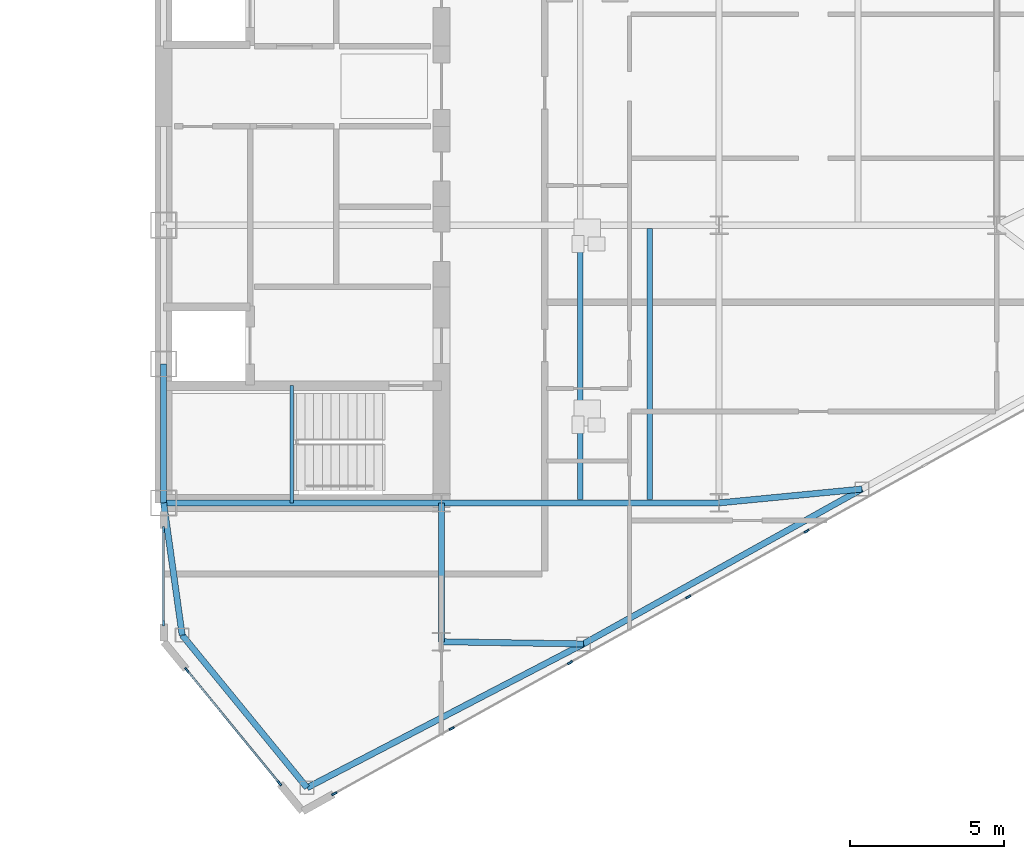
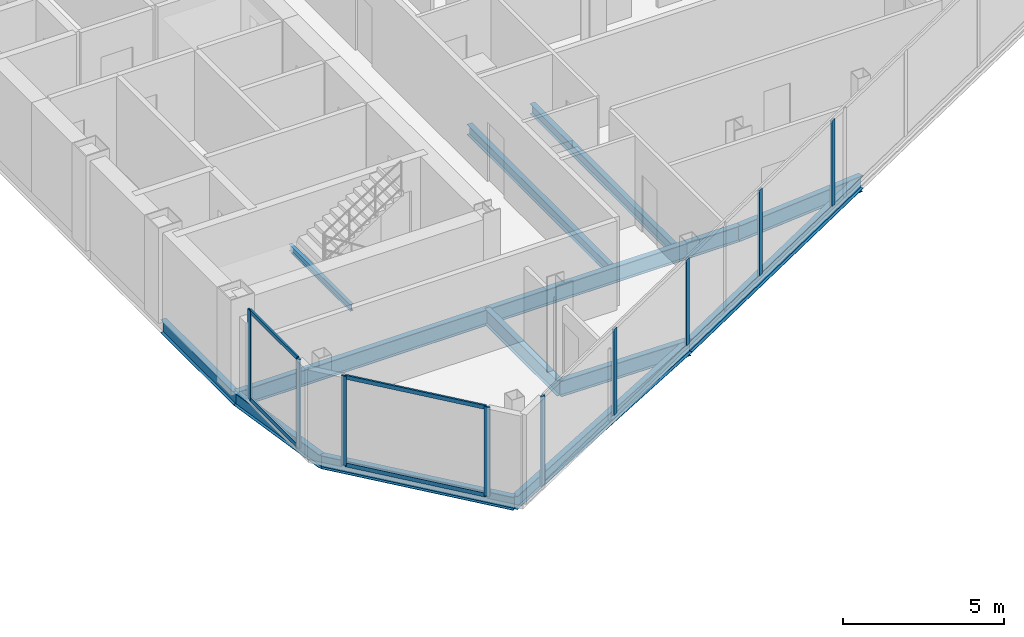
# One storey, part 11 of 26: 13 beams, 13 members, 3 elements without a shape of their own.
"""IFC4 building model written with IfcOpenShell, lengths in metres."""

from ifc_helpers import new_model, si_unit, direction, frame, origin, origin_2d, place, context, subcontext, project, spatial, rectangle, i_section, extrude, source, transform, mapped, material, layer, layer_set, material_profile, profile_set, type_object, type_shapes, element, aggregate, save


model = new_model("IFC4")

# Units and contexts
model_context = context("Model", 3, precision=1e-05, world=origin(), true_north=direction((0.0, 1.0)))
body_context = subcontext(model_context, "Body", "Model", "MODEL_VIEW")
ifc_project = project(units=[si_unit("LENGTHUNIT", "METRE"), si_unit("AREAUNIT", "SQUARE_METRE"), si_unit("VOLUMEUNIT", "CUBIC_METRE"), si_unit("PLANEANGLEUNIT", "RADIAN"), si_unit("MASSUNIT", "GRAM", prefix="KILO")], contexts=[model_context])

# Site, building, storey
site_placement = place(None, origin())
site = spatial("IfcSite", under=ifc_project, at=site_placement, CompositionType="ELEMENT")
building_placement = place(site_placement, origin())
building = spatial("IfcBuilding", under=site, at=building_placement, Name="Seokmaru Belvedere", CompositionType="ELEMENT")
storey_placement = place(building_placement, frame((0.0, 0.0, 167.10009765625)))
storey = spatial("IfcBuildingStorey", under=building, at=storey_placement, Name="L44", CompositionType="ELEMENT", Elevation=167.10009765625)

# Beams
ifc_material_1 = material(Name="Steel SM355 (355 MPa)", Category="steel")
ifc_material_profile_1 = material_profile(ifc_material_1, i_section(OverallWidth=0.199951171875, OverallDepth=0.5, WebThickness=0.010009765625, FlangeThickness=0.01611328125, at=origin_2d()), Name="H-500x200x10x16")
ifc_profile_set_1 = profile_set([ifc_material_profile_1], Name="Steel SM355 (355 MPa)")
beam_type_1 = type_object("IfcBeamType", Name="Perimeter Spandrel Beam H-500", PredefinedType="SPANDREL", material=ifc_profile_set_1)
shared_shape_1 = source(origin(), body_context, "Body", "SweptSolid", [
    extrude(i_section(OverallWidth=0.199951171875, OverallDepth=0.5, WebThickness=0.010009765625, FlangeThickness=0.01611328125, at=origin_2d()), origin(), (0.0, 0.0, 1.0), 4.5),
])
beam_1_placement = place(storey_placement, frame((27.5, -13.5, -0.47021484375), z_axis=(0.0, 1.0, 0.0), x_axis=(-1.0, 0.0, 0.0)))
element("IfcBeam", 1, at=beam_1_placement, inside=storey, type_object=beam_type_1, Name="L44 E Portal Spine Spandrel 1", PredefinedType="SPANDREL", context=body_context, shape_type="MappedRepresentation", body=[
    mapped(shared_shape_1, transform((0.0, 0.0, 0.0), scale=1.0)),
])
ifc_material_profile_2 = material_profile(ifc_material_1, i_section(OverallWidth=0.199951171875, OverallDepth=0.60009765625, WebThickness=0.010986328125, FlangeThickness=0.01708984375, at=origin_2d()), Name="H-600x200x11x17")
ifc_profile_set_2 = profile_set([ifc_material_profile_2], Name="Steel SM355 (355 MPa)")
beam_type_2 = type_object("IfcBeamType", Name="Primary Floor Girder H-600", PredefinedType="BEAM", material=ifc_profile_set_2)
shared_shape_2 = source(origin(), body_context, "Body", "SweptSolid", [
    extrude(i_section(OverallWidth=0.199951171875, OverallDepth=0.60009765625, WebThickness=0.010986328125, FlangeThickness=0.01708984375, at=origin_2d()), origin(), (0.0, 0.0, 1.0), 9.0),
])
for number, where, z_axis, x_axis, name in (
    (2, (27.5, -13.5, -0.52001953125), (1.0, 0.0, 0.0), (0.0, 1.0, 0.0), "L44 E Core Tie Girder 1"),
    (3, (36.5, -13.5, -0.52001953125), (1.0, 0.0, 0.0), (0.0, 1.0, 0.0), "L44 E Wing Primary Girder 1"),
):
    element("IfcBeam", number, at=place(storey_placement, frame(where, z_axis=z_axis, x_axis=x_axis)), inside=storey, type_object=beam_type_2, Name=name, PredefinedType="BEAM", context=body_context, shape_type="MappedRepresentation", body=[
        mapped(shared_shape_2, transform((0.0, 0.0, 0.0), scale=1.0)),
    ])
ifc_material_profile_3 = material_profile(ifc_material_1, i_section(OverallWidth=0.18505859375, OverallDepth=0.389892578125, WebThickness=0.008056640625, FlangeThickness=0.011962890625, at=origin_2d()), Name="H-390x185x8x12")
ifc_profile_set_3 = profile_set([ifc_material_profile_3], Name="Steel SM355 (355 MPa)")
beam_type_3 = type_object("IfcBeamType", Name="Secondary Floor Joist H-350", PredefinedType="JOIST", material=ifc_profile_set_3)
shared_shape_3 = source(origin(), body_context, "Body", "SweptSolid", [
    extrude(i_section(OverallWidth=0.18505859375, OverallDepth=0.389892578125, WebThickness=0.008056640625, FlangeThickness=0.011962890625, at=origin_2d()), origin(), (0.0, 0.0, 1.0), 8.7900390625),
])
type_shapes(beam_type_3, [shared_shape_3])
for number, where, z_axis, x_axis, name in (
    (4, (43.25, -13.39501953125, -0.4150390625), (0.0, 1.0, 0.0), (-1.0, 0.0, 0.0), "L44 E Wing Inner Secondary Joist 1"),
    (5, (41.0, -13.39501953125, -0.4150390625), (0.0, 1.0, 0.0), (-1.0, 0.0, 0.0), "L44 E Secondary Floor Joist 1"),
):
    element("IfcBeam", number, at=place(storey_placement, frame(where, z_axis=z_axis, x_axis=x_axis)), inside=storey, type_object=beam_type_3, Name=name, PredefinedType="JOIST", context=body_context, shape_type="MappedRepresentation", body=[
        mapped(shared_shape_3, transform((0.0, 0.0, 0.0), scale=1.0)),
    ])
shared_shape_4 = source(origin(), body_context, "Body", "SweptSolid", [
    extrude(i_section(OverallWidth=0.199951171875, OverallDepth=0.60009765625, WebThickness=0.010986328125, FlangeThickness=0.01708984375, at=origin_2d()), origin(), (0.0, 0.0, 1.0), 4.5),
])
beam_2_placement = place(storey_placement, frame((36.5, -18.0, -0.52001953125), z_axis=(0.0, 1.0, 0.0), x_axis=(-1.0, 0.0, 0.0)))
element("IfcBeam", 6, at=beam_2_placement, inside=storey, type_object=beam_type_2, Name="L44 E Core Shoulder Girder S", PredefinedType="BEAM", context=body_context, shape_type="MappedRepresentation", body=[
    mapped(shared_shape_4, transform((0.0, 0.0, 0.0), scale=1.0)),
])
shared_shape_5 = source(origin(), body_context, "Body", "SweptSolid", [
    extrude(i_section(OverallWidth=0.199951171875, OverallDepth=0.5, WebThickness=0.010009765625, FlangeThickness=0.01611328125, at=origin_2d()), origin(), (0.0, 0.0, 1.0), 10.09716796875),
])
beam_3_placement = place(storey_placement, frame((32.146728515625, -22.731689453125, -0.47021484375), z_axis=(0.887085728914, 0.461604711369, 0.0), x_axis=(-0.461604711369, 0.887085728914, 0.0)))
element("IfcBeam", 7, at=beam_3_placement, inside=storey, type_object=beam_type_1, Name="L44 E Faceted Flank Spandrel S-1", PredefinedType="SPANDREL", context=body_context, shape_type="MappedRepresentation", body=[
    mapped(shared_shape_5, transform((0.0, 0.0, 0.0), scale=1.0)),
])
shared_shape_6 = source(origin(), body_context, "Body", "SweptSolid", [
    extrude(i_section(OverallWidth=0.199951171875, OverallDepth=0.5, WebThickness=0.010009765625, FlangeThickness=0.01611328125, at=origin_2d()), origin(), (0.0, 0.0, 1.0), 10.327392578125),
])
beam_4_placement = place(storey_placement, frame((41.103759765625, -18.07080078125, -0.47021484375), z_axis=(0.873924120588, 0.486062374037, 0.0), x_axis=(-0.486062374037, 0.873924120588, 0.0)))
element("IfcBeam", 8, at=beam_4_placement, inside=storey, type_object=beam_type_1, Name="L44 E Faceted Flank Spandrel S-2", PredefinedType="SPANDREL", context=body_context, shape_type="MappedRepresentation", body=[
    mapped(shared_shape_6, transform((0.0, 0.0, 0.0), scale=1.0)),
])
shared_shape_7 = source(origin(), body_context, "Body", "SweptSolid", [
    extrude(i_section(OverallWidth=0.199951171875, OverallDepth=0.5, WebThickness=0.010009765625, FlangeThickness=0.01611328125, at=origin_2d()), origin(), (0.0, 0.0, 1.0), 6.390380859375),
])
beam_5_placement = place(storey_placement, frame((32.146728515625, -22.731689453125, -0.47021484375), z_axis=(-0.63324403161, 0.7739521926, 0.0), x_axis=(-0.7739521926, -0.63324403161, 0.0)))
element("IfcBeam", 9, at=beam_5_placement, inside=storey, type_object=beam_type_1, Name="L44 E Shoulder Chamfer Spandrel S", PredefinedType="SPANDREL", context=body_context, shape_type="MappedRepresentation", body=[
    mapped(shared_shape_7, transform((0.0, 0.0, 0.0), scale=1.0)),
])
shared_shape_8 = source(origin(), body_context, "Body", "SweptSolid", [
    extrude(i_section(OverallWidth=0.199951171875, OverallDepth=0.5, WebThickness=0.010009765625, FlangeThickness=0.01611328125, at=origin_2d()), origin(), (0.0, 0.0, 1.0), 4.32763671875),
])
type_shapes(beam_type_1, [shared_shape_1, shared_shape_5, shared_shape_6, shared_shape_7, shared_shape_8])
beam_6_placement = place(storey_placement, frame((28.10009765625, -17.785888671875, -0.47021484375), z_axis=(-0.138664443237, 0.990339422714, 0.0), x_axis=(-0.990339422714, -0.138664443237, 0.0)))
element("IfcBeam", 10, at=beam_6_placement, inside=storey, type_object=beam_type_1, Name="L44 E Shoulder Spine Spandrel S", PredefinedType="SPANDREL", context=body_context, shape_type="MappedRepresentation", body=[
    mapped(shared_shape_8, transform((0.0, 0.0, 0.0), scale=1.0)),
])
shared_shape_9 = source(origin(), body_context, "Body", "SweptSolid", [
    extrude(i_section(OverallWidth=0.199951171875, OverallDepth=0.60009765625, WebThickness=0.010986328125, FlangeThickness=0.01708984375, at=origin_2d()), origin(), (0.0, 0.0, 1.0), 4.604248046875),
])
beam_7_placement = place(storey_placement, frame((41.103759765625, -18.07080078125, -0.52001953125), z_axis=(-0.999881765622, 0.01537708607, 0.0), x_axis=(-0.01537708607, -0.999881765622, 0.0)))
element("IfcBeam", 11, at=beam_7_placement, inside=storey, type_object=beam_type_2, Name="L44 E Flank Radial Floor Girder S-1", PredefinedType="BEAM", context=body_context, shape_type="MappedRepresentation", body=[
    mapped(shared_shape_9, transform((0.0, 0.0, 0.0), scale=1.0)),
])
shared_shape_10 = source(origin(), body_context, "Body", "SweptSolid", [
    extrude(i_section(OverallWidth=0.199951171875, OverallDepth=0.60009765625, WebThickness=0.010986328125, FlangeThickness=0.01708984375, at=origin_2d()), origin(), (0.0, 0.0, 1.0), 4.65087890625),
])
type_shapes(beam_type_2, [shared_shape_2, shared_shape_4, shared_shape_9, shared_shape_10])
beam_8_placement = place(storey_placement, frame((50.129150390625, -13.051025390625, -0.52001953125), z_axis=(-0.995329534874, -0.09653557379, 0.0), x_axis=(0.09653557379, -0.995329534874, 0.0)))
element("IfcBeam", 12, at=beam_8_placement, inside=storey, type_object=beam_type_2, Name="L44 E Flank Radial Floor Girder S-2", PredefinedType="BEAM", context=body_context, shape_type="MappedRepresentation", body=[
    mapped(shared_shape_10, transform((0.0, 0.0, 0.0), scale=1.0)),
])

# Curtain wall, members
ifc_material_2 = material(Name="Bronze Triple Insulating Glass", Category="glass")
ifc_layer = layer(ifc_material_2, 0.179931640625)
ifc_layer_set = layer_set([ifc_layer], Name="Bronze Triple Insulating Glass")
curtain_wall_type = type_object("IfcCurtainWallType", Name="High-Rise Wind-Corner Curtain Wall System CW-5", PredefinedType="NOTDEFINED", material=ifc_layer_set)
curtain_wall_1_placement = place(storey_placement, origin())
curtain_wall_1 = element("IfcCurtainWall", 13, at=curtain_wall_1_placement, inside=storey, type_object=curtain_wall_type, Name="L44 Curtain Wall ESP_1", PredefinedType="NOTDEFINED")
ifc_material_3 = material(Name="Anodised Bronze Aluminium", Category="aluminium")
ifc_material_profile_4 = material_profile(ifc_material_3, rectangle(XDim=0.06494140625, YDim=0.14990234375, at=origin_2d()), Name="CW-T-65x150")
ifc_profile_set_4 = profile_set([ifc_material_profile_4], Name="Anodised Bronze Aluminium")
member_type_1 = type_object("IfcMemberType", Name="Bronze Unitised Transom 65x150", PredefinedType="USERDEFINED", material=ifc_profile_set_4)
shared_shape_11 = source(origin(), body_context, "Body", "SweptSolid", [
    extrude(rectangle(XDim=0.06494140625, YDim=0.14990234375, at=origin_2d()), origin(), (0.0, 0.0, 1.0), 2.969970703125),
])
member_1_placement = place(storey_placement, frame((27.5, -14.39501953125, 0.032470703125), z_axis=(0.0, -1.0, 0.0), x_axis=(1.0, 0.0, 0.0)))
member_1 = element("IfcMember", 14, at=member_1_placement, type_object=member_type_1, Name="CW:L44:ESP_1 Continuous Transom 1", ObjectType="TRANSOM", PredefinedType="USERDEFINED", context=body_context, shape_type="MappedRepresentation", body=[
    mapped(shared_shape_11, transform((0.0, 0.0, 0.0), scale=1.0)),
])
member_2_placement = place(storey_placement, frame((27.5, -14.39501953125, 3.347412109375), z_axis=(0.0, -1.0, 0.0), x_axis=(1.0, 0.0, 0.0)))
member_2 = element("IfcMember", 15, at=member_2_placement, type_object=member_type_1, Name="CW:L44:ESP_1 Continuous Transom 2", ObjectType="TRANSOM", PredefinedType="USERDEFINED", context=body_context, shape_type="MappedRepresentation", body=[
    mapped(shared_shape_11, transform((0.0, 0.0, 0.0), scale=1.0)),
])

curtain_wall_2_placement = place(storey_placement, origin())
curtain_wall_2 = element("IfcCurtainWall", 16, at=curtain_wall_2_placement, inside=storey, type_object=curtain_wall_type, Name="L44 Curtain Wall EF6", PredefinedType="NOTDEFINED")
shared_shape_12 = source(origin(), body_context, "Body", "SweptSolid", [
    extrude(rectangle(XDim=0.06494140625, YDim=0.14990234375, at=origin_2d()), origin(), (0.0, 0.0, 1.0), 4.67626953125),
])
type_shapes(member_type_1, [shared_shape_11, shared_shape_12])
member_3_placement = place(storey_placement, frame((28.269287109375, -18.9404296875, 0.032470703125), z_axis=(0.633277591216, -0.773924733074, 0.0), x_axis=(0.773924733074, 0.633277591216, 0.0)))
member_3 = element("IfcMember", 17, at=member_3_placement, type_object=member_type_1, Name="CW:L44:EF6 Continuous Transom 1", ObjectType="TRANSOM", PredefinedType="USERDEFINED", context=body_context, shape_type="MappedRepresentation", body=[
    mapped(shared_shape_12, transform((0.0, 0.0, 0.0), scale=1.0)),
])
member_4_placement = place(storey_placement, frame((28.269287109375, -18.9404296875, 3.347412109375), z_axis=(0.633277591216, -0.773924733074, 0.0), x_axis=(0.773924733074, 0.633277591216, 0.0)))
member_4 = element("IfcMember", 18, at=member_4_placement, type_object=member_type_1, Name="CW:L44:EF6 Continuous Transom 2", ObjectType="TRANSOM", PredefinedType="USERDEFINED", context=body_context, shape_type="MappedRepresentation", body=[
    mapped(shared_shape_12, transform((0.0, 0.0, 0.0), scale=1.0)),
])

# Curtain wall, member
curtain_wall_3_placement = place(storey_placement, origin())
curtain_wall_3 = element("IfcCurtainWall", 19, at=curtain_wall_3_placement, inside=storey, type_object=curtain_wall_type, Name="L44 Curtain Wall EF1", PredefinedType="NOTDEFINED")
ifc_material_profile_5 = material_profile(ifc_material_3, rectangle(XDim=0.06494140625, YDim=0.179931640625, at=origin_2d()), Name="CW-M-65x180")
ifc_profile_set_5 = profile_set([ifc_material_profile_5], Name="Anodised Bronze Aluminium")
member_type_2 = type_object("IfcMemberType", Name="Bronze Unitised Mullion 65x180", PredefinedType="MULLION", material=ifc_profile_set_5)
shared_shape_13 = source(origin(), body_context, "Body", "SweptSolid", [
    extrude(rectangle(XDim=0.06494140625, YDim=0.179931640625, at=origin_2d()), origin(), (0.0, 0.0, 1.0), 3.3798828125),
])
member_5_placement = place(storey_placement, frame((33.033447265625, -22.92529296875, 0.0), z_axis=(0.0, 0.0, 1.0), x_axis=(-0.486047125147, 0.873932601598, 0.0)))
member_5 = element("IfcMember", 20, at=member_5_placement, type_object=member_type_2, Name="CW:L44:EF1 Mullion 1", PredefinedType="MULLION", context=body_context, shape_type="MappedRepresentation", body=[
    mapped(shared_shape_13, transform((0.0, 0.0, 0.0), scale=1.0)),
])

# Member
member_6_placement = place(storey_placement, frame((27.5, -14.362548828125, 0.0), z_axis=(0.0, 0.0, 1.0), x_axis=(1.0, 0.0, 0.0)))
member_6 = element("IfcMember", 21, at=member_6_placement, type_object=member_type_2, Name="CW:L44:ESP_1 Mullion 1", PredefinedType="MULLION", context=body_context, shape_type="MappedRepresentation", body=[
    mapped(shared_shape_13, transform((0.0, 0.0, 0.0), scale=1.0)),
])

member_7_placement = place(storey_placement, frame((27.5, -17.3974609375, 0.0), z_axis=(0.0, 0.0, 1.0), x_axis=(1.0, 0.0, 0.0)))
member_7 = element("IfcMember", 22, at=member_7_placement, type_object=member_type_2, Name="CW:L44:ESP_1 Mullion 2", PredefinedType="MULLION", context=body_context, shape_type="MappedRepresentation", body=[
    mapped(shared_shape_13, transform((0.0, 0.0, 0.0), scale=1.0)),
])

aggregate(curtain_wall_1, [member_6, member_7, member_1, member_2])

member_8_placement = place(storey_placement, frame((28.248779296875, -18.915283203125, 0.0), z_axis=(0.0, 0.0, 1.0), x_axis=(0.773944112379, 0.633253907144, 0.0)))
member_8 = element("IfcMember", 23, at=member_8_placement, type_object=member_type_2, Name="CW:L44:EF6 Mullion 1", PredefinedType="MULLION", context=body_context, shape_type="MappedRepresentation", body=[
    mapped(shared_shape_13, transform((0.0, 0.0, 0.0), scale=1.0)),
])

member_9_placement = place(storey_placement, frame((31.251220703125, -22.584716796875, 0.0), z_axis=(0.0, 0.0, 1.0), x_axis=(0.773944112379, 0.633253907144, 0.0)))
member_9 = element("IfcMember", 24, at=member_9_placement, type_object=member_type_2, Name="CW:L44:EF6 Mullion 2", PredefinedType="MULLION", context=body_context, shape_type="MappedRepresentation", body=[
    mapped(shared_shape_13, transform((0.0, 0.0, 0.0), scale=1.0)),
])

aggregate(curtain_wall_2, [member_8, member_9, member_3, member_4])

shared_shape_14 = source(origin(), body_context, "Body", "SweptSolid", [
    extrude(rectangle(XDim=0.06494140625, YDim=0.179931640625, at=origin_2d()), origin(), (0.0, 0.0, 1.0), 3.25),
])
type_shapes(member_type_2, [shared_shape_13, shared_shape_14])
member_10_placement = place(storey_placement, frame((36.837158203125, -20.809814453125, 0.06494140625), z_axis=(0.0, 0.0, 1.0), x_axis=(-0.486047125147, 0.873932601598, 0.0)))
member_10 = element("IfcMember", 25, at=member_10_placement, type_object=member_type_2, Name="CW:L44:EF1 Mullion 2", PredefinedType="MULLION", context=body_context, shape_type="MappedRepresentation", body=[
    mapped(shared_shape_14, transform((0.0, 0.0, 0.0), scale=1.0)),
])

member_11_placement = place(storey_placement, frame((40.66943359375, -18.67822265625, 0.06494140625), z_axis=(0.0, 0.0, 1.0), x_axis=(-0.486047125147, 0.873932601598, 0.0)))
member_11 = element("IfcMember", 26, at=member_11_placement, type_object=member_type_2, Name="CW:L44:EF1 Mullion 3", PredefinedType="MULLION", context=body_context, shape_type="MappedRepresentation", body=[
    mapped(shared_shape_14, transform((0.0, 0.0, 0.0), scale=1.0)),
])

member_12_placement = place(storey_placement, frame((44.501708984375, -16.547119140625, 0.06494140625), z_axis=(0.0, 0.0, 1.0), x_axis=(-0.486047125147, 0.873932601598, 0.0)))
member_12 = element("IfcMember", 27, at=member_12_placement, type_object=member_type_2, Name="CW:L44:EF1 Mullion 4", PredefinedType="MULLION", context=body_context, shape_type="MappedRepresentation", body=[
    mapped(shared_shape_14, transform((0.0, 0.0, 0.0), scale=1.0)),
])

member_13_placement = place(storey_placement, frame((48.333984375, -14.415771484375, 0.06494140625), z_axis=(0.0, 0.0, 1.0), x_axis=(-0.486047125147, 0.873932601598, 0.0)))
member_13 = element("IfcMember", 28, at=member_13_placement, type_object=member_type_2, Name="CW:L44:EF1 Mullion 5", PredefinedType="MULLION", context=body_context, shape_type="MappedRepresentation", body=[
    mapped(shared_shape_14, transform((0.0, 0.0, 0.0), scale=1.0)),
])

aggregate(curtain_wall_3, [member_5, member_10, member_11, member_12, member_13])

# Beam
ifc_material_profile_6 = material_profile(ifc_material_1, i_section(OverallWidth=0.125, OverallDepth=0.25, WebThickness=0.006103515625, FlangeThickness=0.009033203125, at=origin_2d()), Name="H-250x125x6x9")
ifc_profile_set_6 = profile_set([ifc_material_profile_6], Name="Steel SM355 (355 MPa)")
beam_type_4 = type_object("IfcBeamType", Name="Stair Mid-Landing Support Beam H-250", PredefinedType="JOIST", material=ifc_profile_set_6)
shared_shape_15 = source(origin(), body_context, "Body", "SweptSolid", [
    extrude(i_section(OverallWidth=0.125, OverallDepth=0.25, WebThickness=0.006103515625, FlangeThickness=0.009033203125, at=origin_2d()), origin(), (0.0, 0.0, 1.0), 3.800048828125),
])
type_shapes(beam_type_4, [shared_shape_15])
beam_9_placement = place(storey_placement, frame((31.64990234375, -13.5, 1.474853515625), z_axis=(0.0, 1.0, 0.0), x_axis=(-1.0, 0.0, 0.0)))
element("IfcBeam", 29, at=beam_9_placement, inside=storey, type_object=beam_type_4, Name="L44 Stair ST-E1 Mid-Landing Support Beam 1", PredefinedType="JOIST", context=body_context, shape_type="MappedRepresentation", body=[
    mapped(shared_shape_15, transform((0.0, 0.0, 0.0), scale=1.0)),
])

save(model, "model.ifc")
